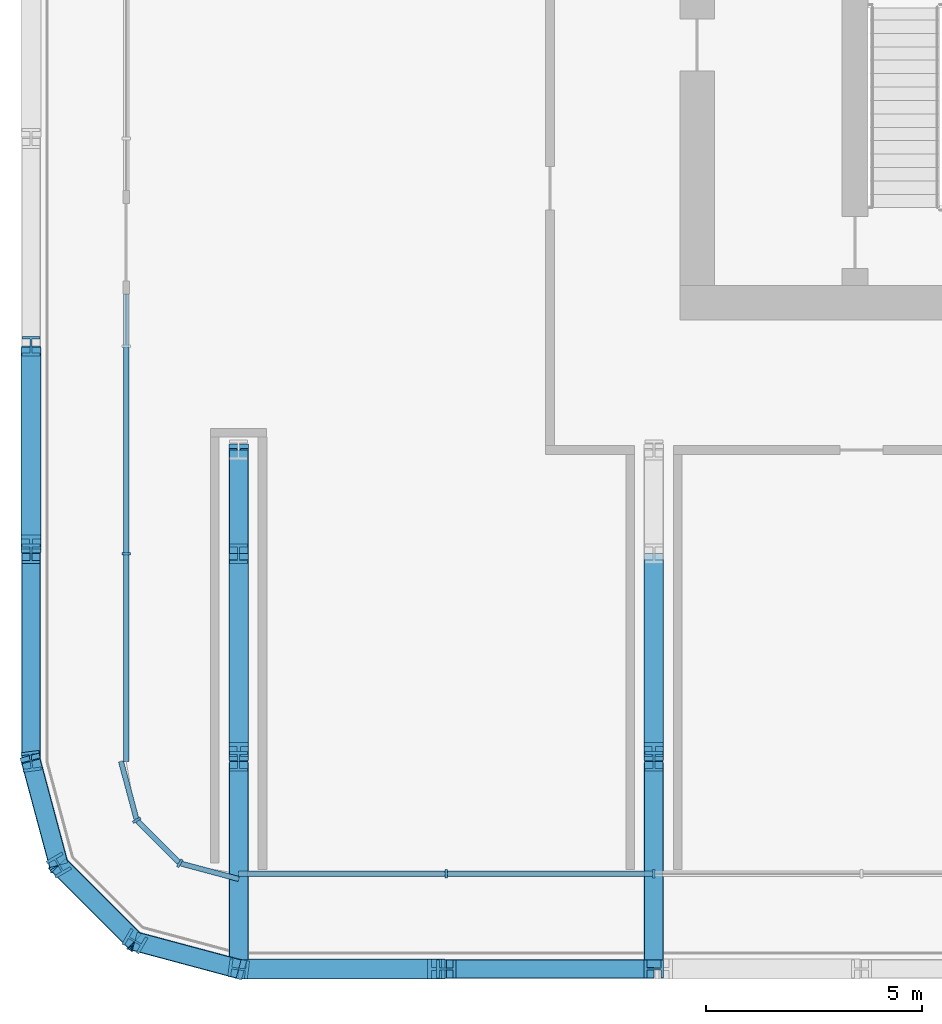
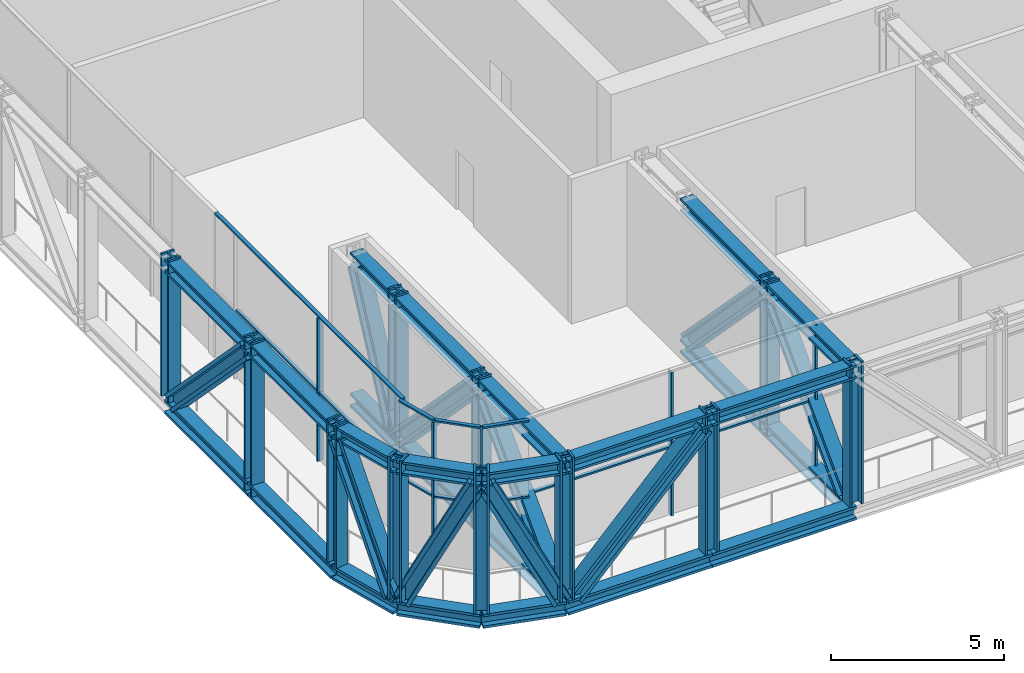
# One storey, part 1 of 27: 61 members, 3 elements without a shape of their own.
"""IFC4 building model written with IfcOpenShell, lengths in metres."""

from ifc_helpers import new_model, si_unit, direction, frame, origin, origin_2d, place, context, subcontext, project, spatial, rectangle, i_section, extrude, material, layer, layer_set, material_profile, profile_set, type_object, element, aggregate, save


model = new_model("IFC4")

# Units and contexts
model_context = context("Model", 3, precision=1e-05, world=origin(), true_north=direction((0.0, 1.0)))
body_context = subcontext(model_context, "Body", "Model", "MODEL_VIEW")
ifc_project = project(units=[si_unit("LENGTHUNIT", "METRE"), si_unit("AREAUNIT", "SQUARE_METRE"), si_unit("VOLUMEUNIT", "CUBIC_METRE"), si_unit("PLANEANGLEUNIT", "RADIAN"), si_unit("MASSUNIT", "GRAM", prefix="KILO")], contexts=[model_context])

# Site, building, storey
site_placement = place(None, origin())
site = spatial("IfcSite", under=ifc_project, at=site_placement, CompositionType="ELEMENT")
building_placement = place(site_placement, origin())
building = spatial("IfcBuilding", under=site, at=building_placement, Name="Madar Terraces", CompositionType="ELEMENT")
storey_placement = place(building_placement, frame((0.0, 0.0, 143.60009765625)))
storey = spatial("IfcBuildingStorey", under=building, at=storey_placement, Name="L37", CompositionType="ELEMENT", Elevation=143.60009765625)

# Members
ifc_material_1 = material(Name="Steel ASTM A913 Grade 65", Category="steel")
ifc_material_profile_1 = material_profile(ifc_material_1, i_section(OverallWidth=0.431884765625, OverallDepth=0.497802734375, WebThickness=0.0556640625, FlangeThickness=0.0888671875, at=origin_2d()), Name="W14x500")
ifc_profile_set_1 = profile_set([ifc_material_profile_1], Name="Steel ASTM A913 Grade 65")
member_type_1 = type_object("IfcMemberType", Name="BC5 W14x500", PredefinedType="CHORD", material=ifc_profile_set_1)
member_1_placement = place(storey_placement, frame((4.800048828125, 0.0, -0.171142578125), z_axis=(1.0, 0.0, 0.0), x_axis=(0.0, 1.0, 0.0)))
element("IfcMember", 1, at=member_1_placement, inside=storey, type_object=member_type_1, Name="Exoskeleton truss ring bottom chord BC5", PredefinedType="CHORD", context=body_context, shape_type="SweptSolid", body=[
    extrude(i_section(OverallWidth=0.431884765625, OverallDepth=0.497802734375, WebThickness=0.0556640625, FlangeThickness=0.0888671875, at=origin_2d()), origin(), (0.0, 0.0, 1.0), 4.800048828125),
])
for number, where, z_axis, x_axis, name in (
    (2, (9.60009765625, 0.0, -0.171142578125), (1.0, 0.0, 0.0), (0.0, 1.0, 0.0), "Exoskeleton truss ring bottom chord BC5"),
    (3, (0.0, 14.39990234375, -0.171142578125), (0.0, -1.0, 0.0), (1.0, 0.0, 0.0), "Exoskeleton truss ring bottom chord BC5"),
):
    element("IfcMember", number, at=place(storey_placement, frame(where, z_axis=z_axis, x_axis=x_axis)), inside=storey, type_object=member_type_1, Name=name, PredefinedType="CHORD", context=body_context, shape_type="SweptSolid", body=[
        extrude(i_section(OverallWidth=0.431884765625, OverallDepth=0.497802734375, WebThickness=0.0556640625, FlangeThickness=0.0888671875, at=origin_2d()), origin(), (0.0, 0.0, 1.0), 4.7998046875),
    ])
member_2_placement = place(storey_placement, frame((0.0, 9.60009765625, -0.171142578125), z_axis=(0.0, -1.0, 0.0), x_axis=(1.0, 0.0, 0.0)))
element("IfcMember", 4, at=member_2_placement, inside=storey, type_object=member_type_1, Name="Exoskeleton truss ring bottom chord BC5", PredefinedType="CHORD", context=body_context, shape_type="SweptSolid", body=[
    extrude(i_section(OverallWidth=0.431884765625, OverallDepth=0.497802734375, WebThickness=0.0556640625, FlangeThickness=0.0888671875, at=origin_2d()), origin(), (0.0, 0.0, 1.0), 4.800048828125),
])
member_3_placement = place(storey_placement, frame((0.0, 4.800048828125, -0.171142578125), z_axis=(0.258799930484, -0.965930947833, 0.0), x_axis=(0.965930947833, 0.258799930484, 0.0)))
element("IfcMember", 5, at=member_3_placement, inside=storey, type_object=member_type_1, Name="Exoskeleton truss ring bottom chord BC5", PredefinedType="CHORD", context=body_context, shape_type="SweptSolid", body=[
    extrude(i_section(OverallWidth=0.431884765625, OverallDepth=0.497802734375, WebThickness=0.0556640625, FlangeThickness=0.0888671875, at=origin_2d()), origin(), (0.0, 0.0, 1.0), 2.48486328125),
])
member_4_placement = place(storey_placement, frame((0.64306640625, 2.39990234375, -0.171142578125), z_axis=(0.707106781187, -0.707106781187, 0.0), x_axis=(0.707106781187, 0.707106781187, 0.0)))
element("IfcMember", 6, at=member_4_placement, inside=storey, type_object=member_type_1, Name="Exoskeleton truss ring bottom chord BC5", PredefinedType="CHORD", context=body_context, shape_type="SweptSolid", body=[
    extrude(i_section(OverallWidth=0.431884765625, OverallDepth=0.497802734375, WebThickness=0.0556640625, FlangeThickness=0.0888671875, at=origin_2d()), origin(), (0.0, 0.0, 1.0), 2.484619140625),
])
member_5_placement = place(storey_placement, frame((2.39990234375, 0.64306640625, -0.171142578125), z_axis=(0.965930947833, -0.258799930484, 0.0), x_axis=(0.258799930484, 0.965930947833, 0.0)))
element("IfcMember", 7, at=member_5_placement, inside=storey, type_object=member_type_1, Name="Exoskeleton truss ring bottom chord BC5", PredefinedType="CHORD", context=body_context, shape_type="SweptSolid", body=[
    extrude(i_section(OverallWidth=0.431884765625, OverallDepth=0.497802734375, WebThickness=0.0556640625, FlangeThickness=0.0888671875, at=origin_2d()), origin(), (0.0, 0.0, 1.0), 2.48486328125),
])
member_6_placement = place(storey_placement, frame((4.800048828125, 0.2158203125, -0.171142578125), z_axis=(0.0, 1.0, 0.0), x_axis=(-1.0, 0.0, 0.0)))
element("IfcMember", 8, at=member_6_placement, inside=storey, type_object=member_type_1, Name="Exoskeleton truss cross S4.8 bottom chord BC5", PredefinedType="CHORD", context=body_context, shape_type="SweptSolid", body=[
    extrude(i_section(OverallWidth=0.431884765625, OverallDepth=0.497802734375, WebThickness=0.0556640625, FlangeThickness=0.0888671875, at=origin_2d()), origin(), (0.0, 0.0, 1.0), 4.584228515625),
])
member_7_placement = place(storey_placement, frame((4.800048828125, 4.800048828125, -0.171142578125), z_axis=(0.0, 1.0, 0.0), x_axis=(-1.0, 0.0, 0.0)))
element("IfcMember", 9, at=member_7_placement, inside=storey, type_object=member_type_1, Name="Exoskeleton truss cross S4.8 bottom chord BC5", PredefinedType="CHORD", context=body_context, shape_type="SweptSolid", body=[
    extrude(i_section(OverallWidth=0.431884765625, OverallDepth=0.497802734375, WebThickness=0.0556640625, FlangeThickness=0.0888671875, at=origin_2d()), origin(), (0.0, 0.0, 1.0), 4.800048828125),
])
member_8_placement = place(storey_placement, frame((4.800048828125, 9.60009765625, -0.171142578125), z_axis=(0.0, 1.0, 0.0), x_axis=(-1.0, 0.0, 0.0)))
element("IfcMember", 10, at=member_8_placement, inside=storey, type_object=member_type_1, Name="Exoskeleton truss cross S4.8 bottom chord BC5", PredefinedType="CHORD", context=body_context, shape_type="SweptSolid", body=[
    extrude(i_section(OverallWidth=0.431884765625, OverallDepth=0.497802734375, WebThickness=0.0556640625, FlangeThickness=0.0888671875, at=origin_2d()), origin(), (0.0, 0.0, 1.0), 2.39990234375),
])
member_9_placement = place(storey_placement, frame((14.39990234375, 0.2158203125, -0.171142578125), z_axis=(0.0, 1.0, 0.0), x_axis=(-1.0, 0.0, 0.0)))
element("IfcMember", 11, at=member_9_placement, inside=storey, type_object=member_type_1, Name="Exoskeleton truss cross S14.4 bottom chord BC5", PredefinedType="CHORD", context=body_context, shape_type="SweptSolid", body=[
    extrude(i_section(OverallWidth=0.431884765625, OverallDepth=0.497802734375, WebThickness=0.0556640625, FlangeThickness=0.0888671875, at=origin_2d()), origin(), (0.0, 0.0, 1.0), 4.584228515625),
])
member_10_placement = place(storey_placement, frame((14.39990234375, 4.800048828125, -0.171142578125), z_axis=(0.0, 1.0, 0.0), x_axis=(-1.0, 0.0, 0.0)))
element("IfcMember", 12, at=member_10_placement, inside=storey, type_object=member_type_1, Name="Exoskeleton truss cross S14.4 bottom chord BC5", PredefinedType="CHORD", context=body_context, shape_type="SweptSolid", body=[
    extrude(i_section(OverallWidth=0.431884765625, OverallDepth=0.497802734375, WebThickness=0.0556640625, FlangeThickness=0.0888671875, at=origin_2d()), origin(), (0.0, 0.0, 1.0), 4.800048828125),
])

# Curtain wall, members
ifc_material_2 = material(Name="Glass, ceramic frit dark grey, with black aluminium frame", Category="aluminium")
ifc_layer = layer(ifc_material_2, 0.199951171875)
ifc_layer_set = layer_set([ifc_layer], Name="Facade curtain wall, tall glazing")
curtain_wall_type = type_object("IfcCurtainWallType", Name="Facade curtain wall, tall glazing", PredefinedType="NOTDEFINED", material=ifc_layer_set)
curtain_wall_1_placement = place(storey_placement, origin())
curtain_wall_1 = element("IfcCurtainWall", 13, at=curtain_wall_1_placement, inside=storey, type_object=curtain_wall_type, Name="Outer skin curtain wall south bay 1", PredefinedType="NOTDEFINED")
ifc_material_3 = material(Name="Aluminium, black anodised", Category="aluminium")
ifc_material_profile_2 = material_profile(ifc_material_3, rectangle(XDim=0.199951171875, YDim=0.06005859375, at=origin_2d()), Name="Facade mullion 60x200")
ifc_profile_set_2 = profile_set([ifc_material_profile_2], Name="Aluminium, black anodised")
member_type_2 = type_object("IfcMemberType", Name="Facade mullion 60x200", PredefinedType="MULLION", material=ifc_profile_set_2)
member_11_placement = place(storey_placement, frame((9.60009765625, 2.199951171875, 0.0), z_axis=(0.0, 0.0, 1.0), x_axis=(0.0, 1.0, 0.0)))
member_11 = element("IfcMember", 14, at=member_11_placement, type_object=member_type_2, Name="Mullion 1", PredefinedType="MULLION", context=body_context, shape_type="SweptSolid", body=[
    extrude(rectangle(XDim=0.199951171875, YDim=0.06005859375, at=origin_2d()), origin(), (0.0, 0.0, 1.0), 5.039794921875),
])
member_12_placement = place(storey_placement, frame((14.39990234375, 2.199951171875, 0.0), z_axis=(0.0, 0.0, 1.0), x_axis=(0.0, 1.0, 0.0)))
member_12 = element("IfcMember", 15, at=member_12_placement, type_object=member_type_2, Name="Mullion 2", PredefinedType="MULLION", context=body_context, shape_type="SweptSolid", body=[
    extrude(rectangle(XDim=0.199951171875, YDim=0.06005859375, at=origin_2d()), origin(), (0.0, 0.0, 1.0), 5.039794921875),
])

# Curtain wall, member
curtain_wall_2_placement = place(storey_placement, origin())
curtain_wall_2 = element("IfcCurtainWall", 16, at=curtain_wall_2_placement, inside=storey, type_object=curtain_wall_type, Name="Outer skin curtain wall west bay 1", PredefinedType="NOTDEFINED")
member_13_placement = place(storey_placement, frame((2.199951171875, 9.60009765625, 0.0), z_axis=(0.0, 0.0, 1.0), x_axis=(1.0, 0.0, 0.0)))
member_13 = element("IfcMember", 17, at=member_13_placement, type_object=member_type_2, Name="Mullion 7", PredefinedType="MULLION", context=body_context, shape_type="SweptSolid", body=[
    extrude(rectangle(XDim=0.199951171875, YDim=0.06005859375, at=origin_2d()), origin(), (0.0, 0.0, 1.0), 5.039794921875),
])

# Curtain wall, members
curtain_wall_3_placement = place(storey_placement, origin())
curtain_wall_3 = element("IfcCurtainWall", 18, at=curtain_wall_3_placement, inside=storey, type_object=curtain_wall_type, Name="Outer skin curtain wall south-west corner", PredefinedType="NOTDEFINED")
member_14_placement = place(storey_placement, frame((2.4443359375, 3.43994140625, 0.0), z_axis=(0.0, 0.0, 1.0), x_axis=(0.866025386925, 0.500000029202, 0.0)))
member_14 = element("IfcMember", 19, at=member_14_placement, type_object=member_type_2, Name="Mullion 1", PredefinedType="MULLION", context=body_context, shape_type="SweptSolid", body=[
    extrude(rectangle(XDim=0.199951171875, YDim=0.06005859375, at=origin_2d()), origin(), (0.0, 0.0, 1.0), 5.039794921875),
])
member_15_placement = place(storey_placement, frame((3.43994140625, 2.4443359375, 0.0), z_axis=(0.0, 0.0, 1.0), x_axis=(0.500000029202, 0.866025386925, 0.0)))
member_15 = element("IfcMember", 20, at=member_15_placement, type_object=member_type_2, Name="Mullion 2", PredefinedType="MULLION", context=body_context, shape_type="SweptSolid", body=[
    extrude(rectangle(XDim=0.199951171875, YDim=0.06005859375, at=origin_2d()), origin(), (0.0, 0.0, 1.0), 5.039794921875),
])

# Member
ifc_material_4 = material(Name="Aluminium, black anodised", Category="aluminium")
ifc_material_profile_3 = material_profile(ifc_material_4, rectangle(XDim=0.1201171875, YDim=0.06005859375, at=origin_2d()), Name="Facade transom 60x120")
ifc_profile_set_3 = profile_set([ifc_material_profile_3], Name="Aluminium, black anodised")
member_type_3 = type_object("IfcMemberType", Name="Facade transom 60x120", PredefinedType="USERDEFINED", material=ifc_profile_set_3)
member_16_placement = place(storey_placement, frame((4.800048828125, 2.199951171875, 2.39990234375), z_axis=(1.0, 0.0, 0.0), x_axis=(0.0, 1.0, 0.0)))
member_16 = element("IfcMember", 21, at=member_16_placement, type_object=member_type_3, Name="Transom 2", ObjectType="TRANSOM", PredefinedType="USERDEFINED", context=body_context, shape_type="SweptSolid", body=[
    extrude(rectangle(XDim=0.1201171875, YDim=0.06005859375, at=origin_2d()), origin(), (0.0, 0.0, 1.0), 4.77001953125),
])

member_17_placement = place(storey_placement, frame((9.6298828125, 2.199951171875, 2.39990234375), z_axis=(1.0, 0.0, 0.0), x_axis=(0.0, 1.0, 0.0)))
member_17 = element("IfcMember", 22, at=member_17_placement, type_object=member_type_3, Name="Transom 3", ObjectType="TRANSOM", PredefinedType="USERDEFINED", context=body_context, shape_type="SweptSolid", body=[
    extrude(rectangle(XDim=0.1201171875, YDim=0.06005859375, at=origin_2d()), origin(), (0.0, 0.0, 1.0), 4.740234375),
])

aggregate(curtain_wall_1, [member_11, member_12, member_16, member_17])

member_18_placement = place(storey_placement, frame((2.199951171875, 15.60009765625, 5.06982421875), z_axis=(0.0, -1.0, 0.0), x_axis=(1.0, 0.0, 0.0)))
member_18 = element("IfcMember", 23, at=member_18_placement, type_object=member_type_3, Name="Transom 8", ObjectType="TRANSOM", PredefinedType="USERDEFINED", context=body_context, shape_type="SweptSolid", body=[
    extrude(rectangle(XDim=0.1201171875, YDim=0.06005859375, at=origin_2d()), origin(), (0.0, 0.0, 1.0), 10.800048828125),
])

member_19_placement = place(storey_placement, frame((2.199951171875, 14.3701171875, 2.39990234375), z_axis=(0.0, -1.0, 0.0), x_axis=(1.0, 0.0, 0.0)))
member_19 = element("IfcMember", 24, at=member_19_placement, type_object=member_type_3, Name="Transom 10", ObjectType="TRANSOM", PredefinedType="USERDEFINED", context=body_context, shape_type="SweptSolid", body=[
    extrude(rectangle(XDim=0.1201171875, YDim=0.06005859375, at=origin_2d()), origin(), (0.0, 0.0, 1.0), 4.740234375),
])

member_20_placement = place(storey_placement, frame((2.199951171875, 9.570068359375, 2.39990234375), z_axis=(0.0, -1.0, 0.0), x_axis=(1.0, 0.0, 0.0)))
member_20 = element("IfcMember", 25, at=member_20_placement, type_object=member_type_3, Name="Transom 11", ObjectType="TRANSOM", PredefinedType="USERDEFINED", context=body_context, shape_type="SweptSolid", body=[
    extrude(rectangle(XDim=0.1201171875, YDim=0.06005859375, at=origin_2d()), origin(), (0.0, 0.0, 1.0), 4.77001953125),
])

aggregate(curtain_wall_2, [member_13, member_18, member_19, member_20])

member_21_placement = place(storey_placement, frame((2.080078125, 4.800048828125, 5.06982421875), z_axis=(0.258842352791, -0.965919580711, 0.0), x_axis=(0.965919580711, 0.258842352791, 0.0)))
member_21 = element("IfcMember", 26, at=member_21_placement, type_object=member_type_3, Name="Transom 1", ObjectType="TRANSOM", PredefinedType="USERDEFINED", context=body_context, shape_type="SweptSolid", body=[
    extrude(rectangle(XDim=0.1201171875, YDim=0.06005859375, at=origin_2d()), origin(), (0.0, 0.0, 1.0), 1.3779296875),
])

member_22_placement = place(storey_placement, frame((2.080078125, 4.800048828125, 2.39990234375), z_axis=(0.258842352791, -0.965919580711, 0.0), x_axis=(0.965919580711, 0.258842352791, 0.0)))
member_22 = element("IfcMember", 27, at=member_22_placement, type_object=member_type_3, Name="Transom 2", ObjectType="TRANSOM", PredefinedType="USERDEFINED", context=body_context, shape_type="SweptSolid", body=[
    extrude(rectangle(XDim=0.1201171875, YDim=0.06005859375, at=origin_2d()), origin(), (0.0, 0.0, 1.0), 1.3779296875),
])

member_23_placement = place(storey_placement, frame((2.465576171875, 3.418701171875, 5.06982421875), z_axis=(0.707106781187, -0.707106781187, 0.0), x_axis=(0.707106781187, 0.707106781187, 0.0)))
member_23 = element("IfcMember", 28, at=member_23_placement, type_object=member_type_3, Name="Transom 3", ObjectType="TRANSOM", PredefinedType="USERDEFINED", context=body_context, shape_type="SweptSolid", body=[
    extrude(rectangle(XDim=0.1201171875, YDim=0.06005859375, at=origin_2d()), origin(), (0.0, 0.0, 1.0), 1.347900390625),
])

member_24_placement = place(storey_placement, frame((2.465576171875, 3.418701171875, 2.39990234375), z_axis=(0.707106781187, -0.707106781187, 0.0), x_axis=(0.707106781187, 0.707106781187, 0.0)))
member_24 = element("IfcMember", 29, at=member_24_placement, type_object=member_type_3, Name="Transom 4", ObjectType="TRANSOM", PredefinedType="USERDEFINED", context=body_context, shape_type="SweptSolid", body=[
    extrude(rectangle(XDim=0.1201171875, YDim=0.06005859375, at=origin_2d()), origin(), (0.0, 0.0, 1.0), 1.347900390625),
])

member_25_placement = place(storey_placement, frame((3.468994140625, 2.436767578125, 5.06982421875), z_axis=(0.965919580711, -0.258842352791, 0.0), x_axis=(0.258842352791, 0.965919580711, 0.0)))
member_25 = element("IfcMember", 30, at=member_25_placement, type_object=member_type_3, Name="Transom 5", ObjectType="TRANSOM", PredefinedType="USERDEFINED", context=body_context, shape_type="SweptSolid", body=[
    extrude(rectangle(XDim=0.1201171875, YDim=0.06005859375, at=origin_2d()), origin(), (0.0, 0.0, 1.0), 1.3779296875),
])

member_26_placement = place(storey_placement, frame((3.468994140625, 2.436767578125, 2.39990234375), z_axis=(0.965919580711, -0.258842352791, 0.0), x_axis=(0.258842352791, 0.965919580711, 0.0)))
member_26 = element("IfcMember", 31, at=member_26_placement, type_object=member_type_3, Name="Transom 6", ObjectType="TRANSOM", PredefinedType="USERDEFINED", context=body_context, shape_type="SweptSolid", body=[
    extrude(rectangle(XDim=0.1201171875, YDim=0.06005859375, at=origin_2d()), origin(), (0.0, 0.0, 1.0), 1.3779296875),
])

aggregate(curtain_wall_3, [member_14, member_21, member_22, member_15, member_23, member_24, member_25, member_26])

# Members
ifc_material_5 = material(Name="Steel ASTM A913 Grade 65", Category="steel")
ifc_material_profile_4 = material_profile(ifc_material_5, i_section(OverallWidth=0.424072265625, OverallDepth=0.47509765625, WebThickness=0.0478515625, FlangeThickness=0.0771484375, at=origin_2d()), Name="W14x426")
ifc_profile_set_4 = profile_set([ifc_material_profile_4], Name="Steel ASTM A913 Grade 65")
member_type_4 = type_object("IfcMemberType", Name="TC5 W14x426", PredefinedType="CHORD", material=ifc_profile_set_4)
member_27_placement = place(storey_placement, frame((4.800048828125, 0.0, 4.79248046875), z_axis=(1.0, 0.0, 0.0), x_axis=(0.0, 1.0, 0.0)))
element("IfcMember", 32, at=member_27_placement, inside=storey, type_object=member_type_4, Name="Exoskeleton truss ring top chord TC5", PredefinedType="CHORD", context=body_context, shape_type="SweptSolid", body=[
    extrude(i_section(OverallWidth=0.424072265625, OverallDepth=0.47509765625, WebThickness=0.0478515625, FlangeThickness=0.0771484375, at=origin_2d()), origin(), (0.0, 0.0, 1.0), 4.800048828125),
])
for number, where, z_axis, x_axis, name in (
    (33, (9.60009765625, 0.0, 4.79248046875), (1.0, 0.0, 0.0), (0.0, 1.0, 0.0), "Exoskeleton truss ring top chord TC5"),
    (34, (0.0, 14.39990234375, 4.79248046875), (0.0, -1.0, 0.0), (1.0, 0.0, 0.0), "Exoskeleton truss ring top chord TC5"),
):
    element("IfcMember", number, at=place(storey_placement, frame(where, z_axis=z_axis, x_axis=x_axis)), inside=storey, type_object=member_type_4, Name=name, PredefinedType="CHORD", context=body_context, shape_type="SweptSolid", body=[
        extrude(i_section(OverallWidth=0.424072265625, OverallDepth=0.47509765625, WebThickness=0.0478515625, FlangeThickness=0.0771484375, at=origin_2d()), origin(), (0.0, 0.0, 1.0), 4.7998046875),
    ])
member_28_placement = place(storey_placement, frame((0.0, 9.60009765625, 4.79248046875), z_axis=(0.0, -1.0, 0.0), x_axis=(1.0, 0.0, 0.0)))
element("IfcMember", 35, at=member_28_placement, inside=storey, type_object=member_type_4, Name="Exoskeleton truss ring top chord TC5", PredefinedType="CHORD", context=body_context, shape_type="SweptSolid", body=[
    extrude(i_section(OverallWidth=0.424072265625, OverallDepth=0.47509765625, WebThickness=0.0478515625, FlangeThickness=0.0771484375, at=origin_2d()), origin(), (0.0, 0.0, 1.0), 4.800048828125),
])
member_29_placement = place(storey_placement, frame((0.0, 4.800048828125, 4.79248046875), z_axis=(0.258799930484, -0.965930947833, 0.0), x_axis=(0.965930947833, 0.258799930484, 0.0)))
element("IfcMember", 36, at=member_29_placement, inside=storey, type_object=member_type_4, Name="Exoskeleton truss ring top chord TC5", PredefinedType="CHORD", context=body_context, shape_type="SweptSolid", body=[
    extrude(i_section(OverallWidth=0.424072265625, OverallDepth=0.47509765625, WebThickness=0.0478515625, FlangeThickness=0.0771484375, at=origin_2d()), origin(), (0.0, 0.0, 1.0), 2.48486328125),
])
member_30_placement = place(storey_placement, frame((0.64306640625, 2.39990234375, 4.79248046875), z_axis=(0.707106781187, -0.707106781187, 0.0), x_axis=(0.707106781187, 0.707106781187, 0.0)))
element("IfcMember", 37, at=member_30_placement, inside=storey, type_object=member_type_4, Name="Exoskeleton truss ring top chord TC5", PredefinedType="CHORD", context=body_context, shape_type="SweptSolid", body=[
    extrude(i_section(OverallWidth=0.424072265625, OverallDepth=0.47509765625, WebThickness=0.0478515625, FlangeThickness=0.0771484375, at=origin_2d()), origin(), (0.0, 0.0, 1.0), 2.484619140625),
])
member_31_placement = place(storey_placement, frame((2.39990234375, 0.64306640625, 4.79248046875), z_axis=(0.965930947833, -0.258799930484, 0.0), x_axis=(0.258799930484, 0.965930947833, 0.0)))
element("IfcMember", 38, at=member_31_placement, inside=storey, type_object=member_type_4, Name="Exoskeleton truss ring top chord TC5", PredefinedType="CHORD", context=body_context, shape_type="SweptSolid", body=[
    extrude(i_section(OverallWidth=0.424072265625, OverallDepth=0.47509765625, WebThickness=0.0478515625, FlangeThickness=0.0771484375, at=origin_2d()), origin(), (0.0, 0.0, 1.0), 2.48486328125),
])
member_32_placement = place(storey_placement, frame((4.800048828125, 0.212158203125, 4.79248046875), z_axis=(0.0, 1.0, 0.0), x_axis=(-1.0, 0.0, 0.0)))
element("IfcMember", 39, at=member_32_placement, inside=storey, type_object=member_type_4, Name="Exoskeleton truss cross S4.8 top chord TC5", PredefinedType="CHORD", context=body_context, shape_type="SweptSolid", body=[
    extrude(i_section(OverallWidth=0.424072265625, OverallDepth=0.47509765625, WebThickness=0.0478515625, FlangeThickness=0.0771484375, at=origin_2d()), origin(), (0.0, 0.0, 1.0), 4.587890625),
])
member_33_placement = place(storey_placement, frame((4.800048828125, 4.800048828125, 4.79248046875), z_axis=(0.0, 1.0, 0.0), x_axis=(-1.0, 0.0, 0.0)))
element("IfcMember", 40, at=member_33_placement, inside=storey, type_object=member_type_4, Name="Exoskeleton truss cross S4.8 top chord TC5", PredefinedType="CHORD", context=body_context, shape_type="SweptSolid", body=[
    extrude(i_section(OverallWidth=0.424072265625, OverallDepth=0.47509765625, WebThickness=0.0478515625, FlangeThickness=0.0771484375, at=origin_2d()), origin(), (0.0, 0.0, 1.0), 4.800048828125),
])
member_34_placement = place(storey_placement, frame((4.800048828125, 9.60009765625, 4.79248046875), z_axis=(0.0, 1.0, 0.0), x_axis=(-1.0, 0.0, 0.0)))
element("IfcMember", 41, at=member_34_placement, inside=storey, type_object=member_type_4, Name="Exoskeleton truss cross S4.8 top chord TC5", PredefinedType="CHORD", context=body_context, shape_type="SweptSolid", body=[
    extrude(i_section(OverallWidth=0.424072265625, OverallDepth=0.47509765625, WebThickness=0.0478515625, FlangeThickness=0.0771484375, at=origin_2d()), origin(), (0.0, 0.0, 1.0), 2.39990234375),
])
member_35_placement = place(storey_placement, frame((14.39990234375, 0.212158203125, 4.79248046875), z_axis=(0.0, 1.0, 0.0), x_axis=(-1.0, 0.0, 0.0)))
element("IfcMember", 42, at=member_35_placement, inside=storey, type_object=member_type_4, Name="Exoskeleton truss cross S14.4 top chord TC5", PredefinedType="CHORD", context=body_context, shape_type="SweptSolid", body=[
    extrude(i_section(OverallWidth=0.424072265625, OverallDepth=0.47509765625, WebThickness=0.0478515625, FlangeThickness=0.0771484375, at=origin_2d()), origin(), (0.0, 0.0, 1.0), 4.587890625),
])
member_36_placement = place(storey_placement, frame((14.39990234375, 4.800048828125, 4.79248046875), z_axis=(0.0, 1.0, 0.0), x_axis=(-1.0, 0.0, 0.0)))
element("IfcMember", 43, at=member_36_placement, inside=storey, type_object=member_type_4, Name="Exoskeleton truss cross S14.4 top chord TC5", PredefinedType="CHORD", context=body_context, shape_type="SweptSolid", body=[
    extrude(i_section(OverallWidth=0.424072265625, OverallDepth=0.47509765625, WebThickness=0.0478515625, FlangeThickness=0.0771484375, at=origin_2d()), origin(), (0.0, 0.0, 1.0), 4.800048828125),
])
ifc_material_6 = material(Name="Steel ASTM A913 Grade 65", Category="steel")
ifc_material_profile_5 = material_profile(ifc_material_6, i_section(OverallWidth=0.45458984375, OverallDepth=0.56884765625, WebThickness=0.077880859375, FlangeThickness=0.124755859375, at=origin_2d()), Name="W14x730")
ifc_profile_set_5 = profile_set([ifc_material_profile_5], Name="Steel ASTM A913 Grade 65")
member_type_5 = type_object("IfcMemberType", Name="TD5 W14x730", PredefinedType="BRACE", material=ifc_profile_set_5)
for number, where, z_axis, x_axis, name in (
    (44, (5.040771484375, 0.0, 0.07763671875), (0.695149746219, 0.0, 0.718864959733), (0.0, 1.0, 0.0), "Exoskeleton truss ring diagonal TD5"),
    (45, (0.0, 14.1591796875, 0.07763671875), (0.0, -0.695149746219, 0.718864959733), (1.0, 0.0, 0.0), "Exoskeleton truss ring diagonal TD5"),
):
    element("IfcMember", number, at=place(storey_placement, frame(where, z_axis=z_axis, x_axis=x_axis)), inside=storey, type_object=member_type_5, Name=name, PredefinedType="BRACE", context=body_context, shape_type="SweptSolid", body=[
        extrude(i_section(OverallWidth=0.45458984375, OverallDepth=0.56884765625, WebThickness=0.077880859375, FlangeThickness=0.124755859375, at=origin_2d()), origin(), (0.0, 0.0, 1.0), 6.228271484375),
    ])
for number, where, z_axis, x_axis, name in (
    (46, (0.03076171875, 4.68505859375, 4.554931640625), (0.115855859859, -0.432362756468, -0.894225847622), (0.965923252369, 0.258828650911, 0.0), "Exoskeleton truss ring diagonal TD5"),
    (47, (0.731201171875, 2.31201171875, 0.07763671875), (0.316503103904, -0.316551864204, 0.894215132106), (0.70716124314, 0.707052315038, 0.0), "Exoskeleton truss ring diagonal TD5"),
    (48, (2.514892578125, 0.6123046875, 4.554931640625), (0.432362756468, -0.115855859859, -0.894225847622), (0.258828650911, 0.965923252369, 0.0), "Exoskeleton truss ring diagonal TD5"),
):
    element("IfcMember", number, at=place(storey_placement, frame(where, z_axis=z_axis, x_axis=x_axis)), inside=storey, type_object=member_type_5, Name=name, PredefinedType="BRACE", context=body_context, shape_type="SweptSolid", body=[
        extrude(i_section(OverallWidth=0.45458984375, OverallDepth=0.56884765625, WebThickness=0.077880859375, FlangeThickness=0.124755859375, at=origin_2d()), origin(), (0.0, 0.0, 1.0), 5.0068359375),
    ])
member_37_placement = place(storey_placement, frame((4.800048828125, 0.24072265625, 0.07763671875), z_axis=(0.0, 0.695149746219, 0.718864959733), x_axis=(-1.0, 0.0, 0.0)))
element("IfcMember", 49, at=member_37_placement, inside=storey, type_object=member_type_5, Name="Exoskeleton truss cross S4.8 diagonal TD5", PredefinedType="BRACE", context=body_context, shape_type="SweptSolid", body=[
    extrude(i_section(OverallWidth=0.45458984375, OverallDepth=0.56884765625, WebThickness=0.077880859375, FlangeThickness=0.124755859375, at=origin_2d()), origin(), (0.0, 0.0, 1.0), 6.228271484375),
])
member_38_placement = place(storey_placement, frame((4.800048828125, 5.029541015625, 4.554931640625), z_axis=(0.0, 0.695170001979, -0.718845371654), x_axis=(-1.0, 0.0, 0.0)))
element("IfcMember", 50, at=member_38_placement, inside=storey, type_object=member_type_5, Name="Exoskeleton truss cross S4.8 diagonal TD5", PredefinedType="BRACE", context=body_context, shape_type="SweptSolid", body=[
    extrude(i_section(OverallWidth=0.45458984375, OverallDepth=0.56884765625, WebThickness=0.077880859375, FlangeThickness=0.124755859375, at=origin_2d()), origin(), (0.0, 0.0, 1.0), 6.228515625),
])
member_39_placement = place(storey_placement, frame((4.800048828125, 9.720458984375, 0.07763671875), z_axis=(0.0, 0.435294010342, 0.900288356339), x_axis=(-1.0, 0.0, 0.0)))
element("IfcMember", 51, at=member_39_placement, inside=storey, type_object=member_type_5, Name="Exoskeleton truss cross S4.8 diagonal TD5", PredefinedType="BRACE", context=body_context, shape_type="SweptSolid", body=[
    extrude(i_section(OverallWidth=0.45458984375, OverallDepth=0.56884765625, WebThickness=0.077880859375, FlangeThickness=0.124755859375, at=origin_2d()), origin(), (0.0, 0.0, 1.0), 4.97314453125),
])
member_40_placement = place(storey_placement, frame((14.39990234375, 0.24072265625, 0.07763671875), z_axis=(0.0, 0.695149746219, 0.718864959733), x_axis=(-1.0, 0.0, 0.0)))
element("IfcMember", 52, at=member_40_placement, inside=storey, type_object=member_type_5, Name="Exoskeleton truss cross S14.4 diagonal TD5", PredefinedType="BRACE", context=body_context, shape_type="SweptSolid", body=[
    extrude(i_section(OverallWidth=0.45458984375, OverallDepth=0.56884765625, WebThickness=0.077880859375, FlangeThickness=0.124755859375, at=origin_2d()), origin(), (0.0, 0.0, 1.0), 6.228271484375),
])
member_41_placement = place(storey_placement, frame((14.39990234375, 5.029541015625, 4.554931640625), z_axis=(0.0, 0.695170001979, -0.718845371654), x_axis=(-1.0, 0.0, 0.0)))
element("IfcMember", 53, at=member_41_placement, inside=storey, type_object=member_type_5, Name="Exoskeleton truss cross S14.4 diagonal TD5", PredefinedType="BRACE", context=body_context, shape_type="SweptSolid", body=[
    extrude(i_section(OverallWidth=0.45458984375, OverallDepth=0.56884765625, WebThickness=0.077880859375, FlangeThickness=0.124755859375, at=origin_2d()), origin(), (0.0, 0.0, 1.0), 6.228515625),
])
ifc_material_7 = material(Name="Steel ASTM A913 Grade 65", Category="steel")
ifc_material_profile_6 = material_profile(ifc_material_7, i_section(OverallWidth=0.419189453125, OverallDepth=0.45458984375, WebThickness=0.042236328125, FlangeThickness=0.067626953125, at=origin_2d()), Name="W14x370")
ifc_profile_set_6 = profile_set([ifc_material_profile_6], Name="Steel ASTM A913 Grade 65")
member_type_6 = type_object("IfcMemberType", Name="TV5 W14x370", PredefinedType="POST", material=ifc_profile_set_6)
for number, where, z_axis, x_axis, name in (
    (54, (4.800048828125, 0.0, 0.07763671875), (0.0, 0.0, 1.0), (0.130526174916, 0.991444863652, 0.0), "Exoskeleton truss ring post TV5"),
    (55, (9.60009765625, 0.0, 0.07763671875), (0.0, 0.0, 1.0), (0.0, 1.0, 0.0), "Exoskeleton truss ring post TV5"),
    (56, (14.39990234375, 0.0, 0.07763671875), (0.0, 0.0, 1.0), (0.0, 1.0, 0.0), "Exoskeleton truss ring post TV5"),
    (57, (0.0, 14.39990234375, 0.07763671875), (0.0, 0.0, 1.0), (1.0, 0.0, 0.0), "Exoskeleton truss ring post TV5"),
):
    element("IfcMember", number, at=place(storey_placement, frame(where, z_axis=z_axis, x_axis=x_axis)), inside=storey, type_object=member_type_6, Name=name, PredefinedType="POST", context=body_context, shape_type="SweptSolid", body=[
        extrude(i_section(OverallWidth=0.419189453125, OverallDepth=0.45458984375, WebThickness=0.042236328125, FlangeThickness=0.067626953125, at=origin_2d()), origin(), (0.0, 0.0, 1.0), 5.022216796875),
    ])
member_42_placement = place(storey_placement, frame((0.0, 9.60009765625, -0.420166015625), z_axis=(0.0, 0.0, 1.0), x_axis=(1.0, 0.0, 0.0)))
element("IfcMember", 58, at=member_42_placement, inside=storey, type_object=member_type_6, Name="Exoskeleton truss ring post TV5", PredefinedType="POST", context=body_context, shape_type="SweptSolid", body=[
    extrude(i_section(OverallWidth=0.419189453125, OverallDepth=0.45458984375, WebThickness=0.042236328125, FlangeThickness=0.067626953125, at=origin_2d()), origin(), (0.0, 0.0, 1.0), 5.52001953125),
])
for number, where, z_axis, x_axis, name in (
    (59, (0.0, 4.800048828125, 0.07763671875), (0.0, 0.0, 1.0), (0.991444863652, 0.130526174916, 0.0), "Exoskeleton truss ring post TV5"),
    (60, (0.64306640625, 2.39990234375, 0.07763671875), (0.0, 0.0, 1.0), (0.866025412511, 0.499999984885, 0.0), "Exoskeleton truss ring post TV5"),
    (61, (2.39990234375, 0.64306640625, 0.07763671875), (0.0, 0.0, 1.0), (0.499999984885, 0.866025412511, 0.0), "Exoskeleton truss ring post TV5"),
):
    element("IfcMember", number, at=place(storey_placement, frame(where, z_axis=z_axis, x_axis=x_axis)), inside=storey, type_object=member_type_6, Name=name, PredefinedType="POST", context=body_context, shape_type="SweptSolid", body=[
        extrude(i_section(OverallWidth=0.419189453125, OverallDepth=0.45458984375, WebThickness=0.042236328125, FlangeThickness=0.067626953125, at=origin_2d()), origin(), (0.0, 0.0, 1.0), 5.022216796875),
    ])
member_43_placement = place(storey_placement, frame((4.800048828125, 4.800048828125, -0.420166015625), z_axis=(0.0, 0.0, 1.0), x_axis=(-1.0, 0.0, 0.0)))
element("IfcMember", 62, at=member_43_placement, inside=storey, type_object=member_type_6, Name="Exoskeleton truss cross S4.8 post TV5", PredefinedType="POST", context=body_context, shape_type="SweptSolid", body=[
    extrude(i_section(OverallWidth=0.419189453125, OverallDepth=0.45458984375, WebThickness=0.042236328125, FlangeThickness=0.067626953125, at=origin_2d()), origin(), (0.0, 0.0, 1.0), 5.52001953125),
])
member_44_placement = place(storey_placement, frame((4.800048828125, 9.60009765625, 0.07763671875), z_axis=(0.0, 0.0, 1.0), x_axis=(-1.0, 0.0, 0.0)))
element("IfcMember", 63, at=member_44_placement, inside=storey, type_object=member_type_6, Name="Exoskeleton truss cross S4.8 post TV5", PredefinedType="POST", context=body_context, shape_type="SweptSolid", body=[
    extrude(i_section(OverallWidth=0.419189453125, OverallDepth=0.45458984375, WebThickness=0.042236328125, FlangeThickness=0.067626953125, at=origin_2d()), origin(), (0.0, 0.0, 1.0), 5.022216796875),
])
member_45_placement = place(storey_placement, frame((14.39990234375, 4.800048828125, -0.420166015625), z_axis=(0.0, 0.0, 1.0), x_axis=(-1.0, 0.0, 0.0)))
element("IfcMember", 64, at=member_45_placement, inside=storey, type_object=member_type_6, Name="Exoskeleton truss cross S14.4 post TV5", PredefinedType="POST", context=body_context, shape_type="SweptSolid", body=[
    extrude(i_section(OverallWidth=0.419189453125, OverallDepth=0.45458984375, WebThickness=0.042236328125, FlangeThickness=0.067626953125, at=origin_2d()), origin(), (0.0, 0.0, 1.0), 5.52001953125),
])

save(model, "model.ifc")
